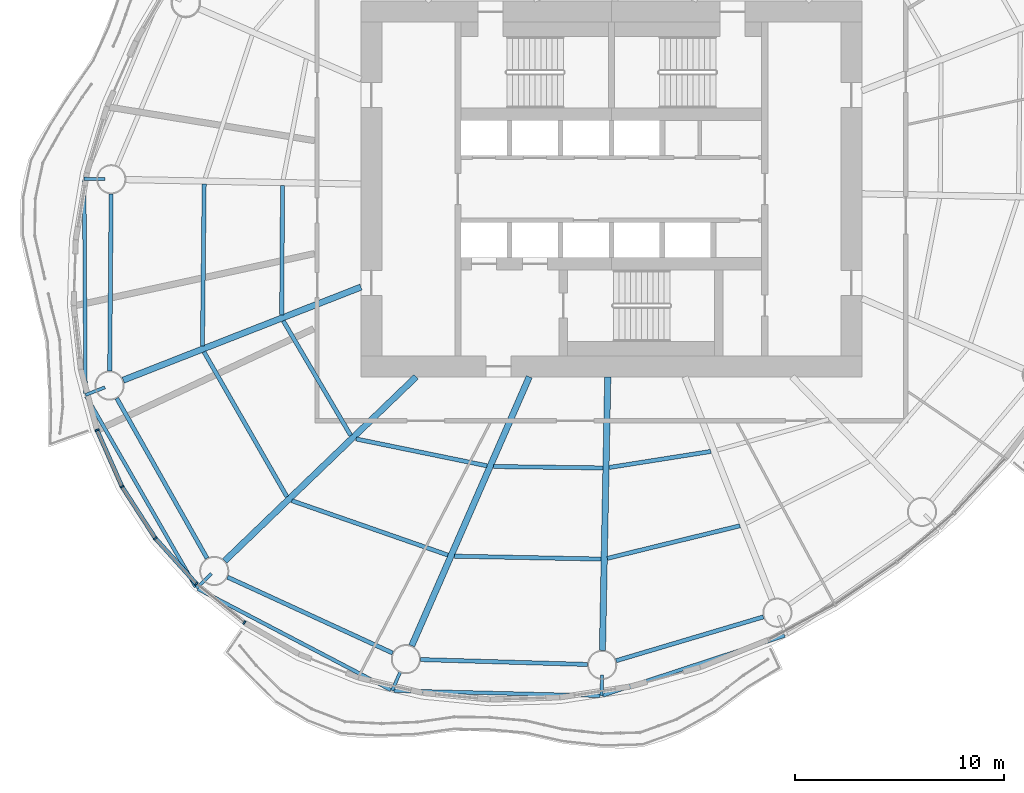
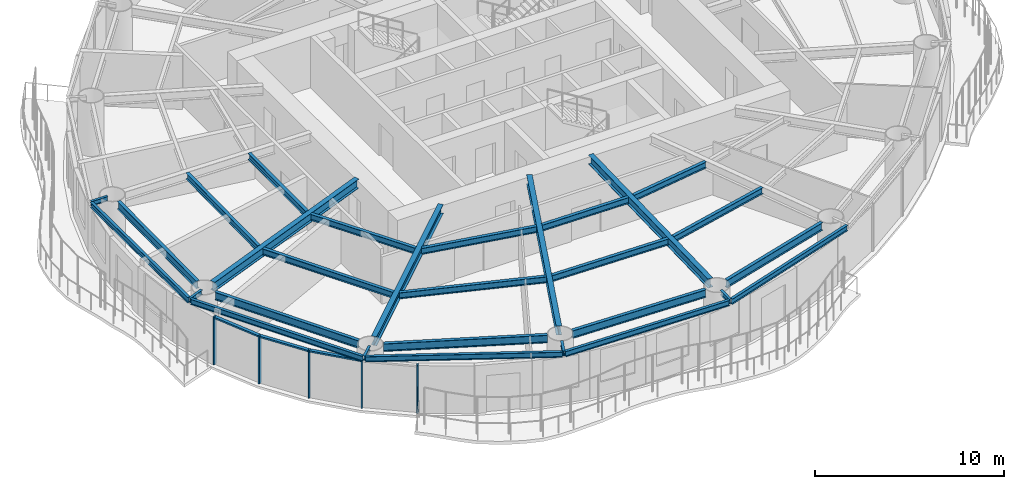
# One storey, part 2 of 15: 29 beams, 8 members, 4 elements without a shape of their own.
"""IFC4 building model written with IfcOpenShell, lengths in metres."""

import ifcopenshell
import ifcopenshell.guid

model = None  # the IFC model being written
_history = None  # IfcOwnerHistory: only IFC2X3 demands one
_inside = {}  # id of a spatial element -> (the spatial element, [elements in it])
_under = {}  # id of a project, library or spatial element -> (it, [spatial elements below it])
_declared = {}  # id of a project -> (the project, [libraries it declares])
_typed = {}  # id of a type object -> (the type object, [elements of that type])
_made_of = {}  # id of a material, layer set ... -> (it, [elements and type objects made of it])


def new_model(schema):
    """Start an empty IFC model of exactly this schema.

    Asked for "IFC4X3", IfcOpenShell would pick the latest addendum, in which some entities
    have other attributes; the version numbers below select the first issue.
    IFC2X3 requires an IfcOwnerHistory on every rooted entity: one is made here for all.
    """
    global model, _history
    if schema == "IFC4X3":
        model = ifcopenshell.file(schema_version=(4, 3, 0, 0))
    else:
        model = ifcopenshell.file(schema=schema)
    _inside.clear()
    _under.clear()
    _declared.clear()
    _typed.clear()
    _made_of.clear()
    _history = None
    if model.schema == "IFC2X3":
        org = make("IfcOrganization", Name="unknown")
        user = make(
            "IfcPersonAndOrganization",
            ThePerson=make("IfcPerson", FamilyName="unknown"),
            TheOrganization=org,
        )
        app = make(
            "IfcApplication",
            ApplicationDeveloper=org,
            Version="unknown",
            ApplicationFullName="unknown",
            ApplicationIdentifier="unknown",
        )
        _history = make(
            "IfcOwnerHistory",
            OwningUser=user,
            OwningApplication=app,
            ChangeAction="ADDED",
            CreationDate=0,
        )
    return model


def make(cls, **values):
    """One entity of the class cls with the attributes given. An attribute that is None is left unset."""
    return model.create_entity(
        cls, **{name: value for name, value in values.items() if value is not None}
    )


def rooted(cls, **values):
    """An entity with a GlobalId (a new one), such as an element, a storey or a relation."""
    return make(cls, GlobalId=ifcopenshell.guid.new(), OwnerHistory=_history, **values)


def si_unit(unit_type, name, prefix=None):
    """IfcSIUnit, for example si_unit("LENGTHUNIT", "METRE", prefix="MILLI")."""
    return make("IfcSIUnit", UnitType=unit_type, Prefix=prefix, Name=name)


def assignment(units):
    """IfcUnitAssignment: the units of a project."""
    return None if units is None else make("IfcUnitAssignment", Units=units)


def point(xyz):
    """IfcCartesianPoint."""
    return None if xyz is None else make("IfcCartesianPoint", Coordinates=xyz)


def direction(xyz):
    """IfcDirection."""
    return None if xyz is None else make("IfcDirection", DirectionRatios=xyz)


def frame(location, z_axis=None, x_axis=None):
    """IfcAxis2Placement3D, a coordinate frame: its origin and axes. An axis left out is left unset."""
    return make(
        "IfcAxis2Placement3D",
        Location=point(location),
        Axis=direction(z_axis),
        RefDirection=direction(x_axis),
    )


def frame_2d(location, x_axis=None):
    """IfcAxis2Placement2D, a coordinate frame in the plane: its origin and x axis."""
    return make(
        "IfcAxis2Placement2D", Location=point(location), RefDirection=direction(x_axis)
    )


def origin():
    """The frame at (0, 0, 0) with its axes left unset."""
    return frame((0.0, 0.0, 0.0))


def origin_2d():
    """The frame at (0, 0) in the plane with its x axis left unset."""
    return frame_2d((0.0, 0.0))


def place(relative_to, where):
    """IfcLocalPlacement: puts the frame where relative to a parent placement (None: the world)."""
    return make(
        "IfcLocalPlacement", PlacementRelTo=relative_to, RelativePlacement=where
    )


def context(
    kind, dimensions, precision=None, world=None, true_north=None, identifier=None
):
    """IfcGeometricRepresentationContext, for example the 3D "Model" context."""
    return make(
        "IfcGeometricRepresentationContext",
        ContextIdentifier=identifier,
        ContextType=kind,
        CoordinateSpaceDimension=dimensions,
        Precision=precision,
        WorldCoordinateSystem=world,
        TrueNorth=true_north,
    )


def subcontext(parent, identifier, kind, view, scale=None):
    """IfcGeometricRepresentationSubContext, for example "Body" below "Model"."""
    return make(
        "IfcGeometricRepresentationSubContext",
        ContextIdentifier=identifier,
        ContextType=kind,
        ParentContext=parent,
        TargetScale=scale,
        TargetView=view,
    )


def project(units=None, contexts=None):
    """IfcProject with its units and contexts."""
    return rooted(
        "IfcProject",
        Name="project",
        RepresentationContexts=contexts,
        UnitsInContext=assignment(units),
    )


def spatial(cls, under=None, at=None, **own):
    """A site, building, storey or space (cls), placed at a placement, below another one or the project."""
    s = rooted(cls, ObjectPlacement=at, **own)
    if under is not None:
        _under.setdefault(under.id(), (under, []))[1].append(s)
    return s


def profile(cls, at=None, kind="AREA", **sizes):
    """A parametric profile (cls). Its sizes go by their IFC names, for example OverallWidth=200.0."""
    return make(cls, ProfileType=kind, Position=at, **sizes)


def rectangle(**sizes):
    """IfcRectangleProfileDef."""
    return profile("IfcRectangleProfileDef", **sizes)


def i_section(**sizes):
    """IfcIShapeProfileDef."""
    return profile("IfcIShapeProfileDef", **sizes)


def extrude(swept, where, along, depth):
    """IfcExtrudedAreaSolid: the profile swept, set in the frame where, extruded along a direction by depth."""
    return make(
        "IfcExtrudedAreaSolid",
        SweptArea=swept,
        Position=where,
        ExtrudedDirection=direction(along),
        Depth=depth,
    )


def shape(context_of_items, identifier, shape_type, items):
    """IfcShapeRepresentation: the items that make up one representation, for example the "Body"."""
    return make(
        "IfcShapeRepresentation",
        ContextOfItems=context_of_items,
        RepresentationIdentifier=identifier,
        RepresentationType=shape_type,
        Items=items,
    )


def material(Name=None, Category=None):
    """IfcMaterial."""
    return make("IfcMaterial", Name=Name, Category=Category)


def material_profile(
    of_material, cross_section, Name=None, Category=None, Priority=None
):
    """IfcMaterialProfile: a cross section and its material."""
    return make(
        "IfcMaterialProfile",
        Name=Name,
        Material=of_material,
        Profile=cross_section,
        Priority=Priority,
        Category=Category,
    )


def profile_set(profiles, Name=None, composite=None):
    """IfcMaterialProfileSet."""
    return make(
        "IfcMaterialProfileSet",
        Name=Name,
        MaterialProfiles=profiles,
        CompositeProfile=composite,
    )


def made_of(thing, what):
    """Note that an element or type object is made of a material, layer set ...; save() writes the relation."""
    if what is not None:
        _made_of.setdefault(what.id(), (what, []))[1].append(thing)
    return thing


def type_object(cls, material=None, **own):
    """A type object (cls), such as IfcWallType, which elements share."""
    return made_of(rooted(cls, **own), material)


def element(
    cls,
    number,
    at=None,
    inside=None,
    cuts=None,
    type_object=None,
    material=None,
    context=None,
    identifier="Body",
    shape_type=None,
    held_by="IfcProductDefinitionShape",
    body=None,
    shapes=None,
    **own,
):
    """One element of the class cls, such as IfcWall. Its Tag is "e" and its number.

    at: its placement. inside: the storey or other place that contains it. cuts: it is an
    opening in that element (IfcRelVoidsElement). A single representation is given by context,
    identifier, shape_type and body (its items); several are given by shapes. held_by: the class
    of the entity that holds the representations. save() writes the other relations.
    """
    e = rooted(cls, Tag="e%d" % number, ObjectPlacement=at, **own)
    if body is not None:
        shapes = [shape(context, identifier, shape_type, body)]
    if shapes is not None:
        e.Representation = make(held_by, Representations=shapes)
    if inside is not None:
        _inside.setdefault(inside.id(), (inside, []))[1].append(e)
    if cuts is not None:
        rooted(
            "IfcRelVoidsElement", RelatingBuildingElement=cuts, RelatedOpeningElement=e
        )
    if type_object is not None:
        _typed.setdefault(type_object.id(), (type_object, []))[1].append(e)
    return made_of(e, material)


def aggregate(whole, parts):
    """IfcRelAggregates: a whole, such as a stair, and the parts it consists of."""
    return rooted("IfcRelAggregates", RelatingObject=whole, RelatedObjects=parts)


def save(model, path):
    """Write the relations noted so far, then the file.

    IfcRelAggregates (storeys below a building ...), IfcRelContainedInSpatialStructure (elements
    in a storey), IfcRelDefinesByType, IfcRelAssociatesMaterial and IfcRelDeclares: one each for
    every whole, place, type object, material and project.
    """
    for whole, parts in _under.values():
        aggregate(whole, parts)
    for where, things in _inside.values():
        rooted(
            "IfcRelContainedInSpatialStructure",
            RelatedElements=things,
            RelatingStructure=where,
        )
    for kind, things in _typed.values():
        rooted("IfcRelDefinesByType", RelatedObjects=things, RelatingType=kind)
    for what, things in _made_of.values():
        rooted("IfcRelAssociatesMaterial", RelatedObjects=things, RelatingMaterial=what)
    for by, libraries in _declared.values():
        rooted("IfcRelDeclares", RelatingContext=by, RelatedDefinitions=libraries)
    model.write(path)


model = new_model("IFC4")

# Units and contexts
model_context = context("Model", 3, precision=1e-05, world=origin(), true_north=direction((0.0, 1.0)))
body_context = subcontext(model_context, "Body", "Model", "MODEL_VIEW")
ifc_project = project(units=[si_unit("LENGTHUNIT", "METRE"), si_unit("AREAUNIT", "SQUARE_METRE"), si_unit("VOLUMEUNIT", "CUBIC_METRE"), si_unit("PLANEANGLEUNIT", "RADIAN"), si_unit("MASSUNIT", "GRAM", prefix="KILO")], contexts=[model_context])

# Site, building, storey
site_placement = place(None, origin())
site = spatial("IfcSite", under=ifc_project, at=site_placement, CompositionType="ELEMENT")
building_placement = place(site_placement, origin())
building = spatial("IfcBuilding", under=site, at=building_placement, Name="Vermilion Reach Broadcast Tower", CompositionType="ELEMENT")
storey_placement = place(building_placement, frame((0.0, 0.0, 183.0)))
storey = spatial("IfcBuildingStorey", under=building, at=storey_placement, Name="L44", CompositionType="ELEMENT", Elevation=183.0)

# Beams
ifc_material_1 = material(Name="Steel S355J2", Category="steel")
ifc_material_profile_1 = material_profile(ifc_material_1, i_section(OverallWidth=0.175048828125, OverallDepth=0.35009765625, WebThickness=0.007080078125, FlangeThickness=0.010986328125, at=origin_2d()), Name="S355J2 HN 350x175x7x11")
ifc_profile_set_1 = profile_set([ifc_material_profile_1], Name="Steel S355J2")
beam_type_1 = type_object("IfcBeamType", Name="EB3 HN 350x175x7x11", PredefinedType="BEAM", material=ifc_profile_set_1)
beam_1_placement = place(storey_placement, frame((-31.255126953125, 0.414306640625, 3.27490234375), z_axis=(0.005982471672, -0.999982104856, 0.0), x_axis=(0.999982104856, 0.005982471672, 0.0)))
element("IfcBeam", 1, at=beam_1_placement, inside=storey, type_object=beam_type_1, Name="Edge beam EB3-07", PredefinedType="BEAM", context=body_context, shape_type="SweptSolid", body=[
    extrude(i_section(OverallWidth=0.175048828125, OverallDepth=0.35009765625, WebThickness=0.007080078125, FlangeThickness=0.010986328125, at=origin_2d()), origin(), (0.0, 0.0, 1.0), 10.202392578125),
])
beam_2_placement = place(storey_placement, frame((-31.156005859375, -9.93408203125, 3.27490234375), z_axis=(0.49809475743, -0.867122605299, 0.0), x_axis=(0.867122605299, 0.49809475743, 0.0)))
element("IfcBeam", 2, at=beam_2_placement, inside=storey, type_object=beam_type_1, Name="Edge beam EB3-08", PredefinedType="BEAM", context=body_context, shape_type="SweptSolid", body=[
    extrude(i_section(OverallWidth=0.175048828125, OverallDepth=0.35009765625, WebThickness=0.007080078125, FlangeThickness=0.010986328125, at=origin_2d()), origin(), (0.0, 0.0, 1.0), 10.51904296875),
])
beam_3_placement = place(storey_placement, frame((-25.807861328125, -19.158935546875, 3.27490234375), z_axis=(0.885887897056, -0.463899379014, 0.0), x_axis=(0.463899379014, 0.885887897056, 0.0)))
element("IfcBeam", 3, at=beam_3_placement, inside=storey, type_object=beam_type_1, Name="Edge beam EB3-09", PredefinedType="BEAM", context=body_context, shape_type="SweptSolid", body=[
    extrude(i_section(OverallWidth=0.175048828125, OverallDepth=0.35009765625, WebThickness=0.007080078125, FlangeThickness=0.010986328125, at=origin_2d()), origin(), (0.0, 0.0, 1.0), 10.42724609375),
])
beam_4_placement = place(storey_placement, frame((-16.4228515625, -24.032958984375, 3.27490234375), z_axis=(0.99969711169, -0.024610665956, 0.0), x_axis=(0.024610665956, 0.99969711169, 0.0)))
element("IfcBeam", 4, at=beam_4_placement, inside=storey, type_object=beam_type_1, Name="Edge beam EB3-10", PredefinedType="BEAM", context=body_context, shape_type="SweptSolid", body=[
    extrude(i_section(OverallWidth=0.175048828125, OverallDepth=0.35009765625, WebThickness=0.007080078125, FlangeThickness=0.010986328125, at=origin_2d()), origin(), (0.0, 0.0, 1.0), 9.88037109375),
])
beam_5_placement = place(storey_placement, frame((-6.39501953125, -24.253173828125, 3.27490234375), z_axis=(0.950176969357, 0.311710966928, 0.0), x_axis=(-0.311710966928, 0.950176969357, 0.0)))
element("IfcBeam", 5, at=beam_5_placement, inside=storey, type_object=beam_type_1, Name="Edge beam EB3-11", PredefinedType="BEAM", context=body_context, shape_type="SweptSolid", body=[
    extrude(i_section(OverallWidth=0.175048828125, OverallDepth=0.35009765625, WebThickness=0.007080078125, FlangeThickness=0.010986328125, at=origin_2d()), origin(), (0.0, 0.0, 1.0), 9.15283203125),
])
ifc_material_2 = material(Name="Steel S355J2", Category="steel")
ifc_material_profile_2 = material_profile(ifc_material_2, i_section(OverallWidth=0.300048828125, OverallDepth=0.587890625, WebThickness=0.011962890625, FlangeThickness=0.02001953125, at=origin_2d()), Name="S355J2 HM 588x300x12x20")
ifc_profile_set_2 = profile_set([ifc_material_profile_2], Name="Steel S355J2")
beam_type_2 = type_object("IfcBeamType", Name="G3 HM 588x300x12x20", PredefinedType="BEAM", material=ifc_profile_set_2)
beam_6_placement = place(storey_placement, frame((-18.0, -4.700439453125, 3.156005859375), z_axis=(-0.931124635714, -0.364701128004, 0.0), x_axis=(0.364701128004, -0.931124635714, 0.0)))
element("IfcBeam", 6, at=beam_6_placement, inside=storey, type_object=beam_type_2, Name="Girder G3-08", PredefinedType="BEAM", context=body_context, shape_type="SweptSolid", body=[
    extrude(i_section(OverallWidth=0.300048828125, OverallDepth=0.587890625, WebThickness=0.011962890625, FlangeThickness=0.02001953125, at=origin_2d()), origin(), (0.0, 0.0, 1.0), 12.231201171875),
])
beam_7_placement = place(storey_placement, frame((-15.355712890625, -9.0, 3.156005859375), z_axis=(-0.720670374476, -0.693277874559, 0.0), x_axis=(0.693277874559, -0.720670374476, 0.0)))
element("IfcBeam", 7, at=beam_7_placement, inside=storey, type_object=beam_type_2, Name="Girder G3-09", PredefinedType="BEAM", context=body_context, shape_type="SweptSolid", body=[
    extrude(i_section(OverallWidth=0.300048828125, OverallDepth=0.587890625, WebThickness=0.011962890625, FlangeThickness=0.02001953125, at=origin_2d()), origin(), (0.0, 0.0, 1.0), 12.718505859375),
])
beam_8_placement = place(storey_placement, frame((-9.933837890625, -9.0, 3.156005859375), z_axis=(-0.400519113205, -0.916288404356, 0.0), x_axis=(0.916288404356, -0.400519113205, 0.0)))
element("IfcBeam", 8, at=beam_8_placement, inside=storey, type_object=beam_type_2, Name="Girder G3-10", PredefinedType="BEAM", context=body_context, shape_type="SweptSolid", body=[
    extrude(i_section(OverallWidth=0.300048828125, OverallDepth=0.587890625, WebThickness=0.011962890625, FlangeThickness=0.02001953125, at=origin_2d()), origin(), (0.0, 0.0, 1.0), 14.0595703125),
])
beam_9_placement = place(storey_placement, frame((-6.17431640625, -9.0, 3.156005859375), z_axis=(-0.019378372481, -0.99981222171, 0.0), x_axis=(0.99981222171, -0.019378372481, 0.0)))
element("IfcBeam", 9, at=beam_9_placement, inside=storey, type_object=beam_type_2, Name="Girder G3-11", PredefinedType="BEAM", context=body_context, shape_type="SweptSolid", body=[
    extrude(i_section(OverallWidth=0.300048828125, OverallDepth=0.587890625, WebThickness=0.011962890625, FlangeThickness=0.02001953125, at=origin_2d()), origin(), (0.0, 0.0, 1.0), 13.1025390625),
])
ifc_material_3 = material(Name="Steel S355J2", Category="steel")
ifc_material_profile_3 = material_profile(ifc_material_3, i_section(OverallWidth=0.14990234375, OverallDepth=0.300048828125, WebThickness=0.006591796875, FlangeThickness=0.009033203125, at=origin_2d()), Name="S355J2 HN 300x150x6.5x9")
ifc_profile_set_3 = profile_set([ifc_material_profile_3], Name="Steel S355J2")
beam_type_3 = type_object("IfcBeamType", Name="GS3 HN 300x150x6.5x9", PredefinedType="BEAM", material=ifc_profile_set_3)
for number, where, z_axis, x_axis, name in (
    (10, (-30.255859375, 0.469970703125, 3.300048828125), (-0.999813964781, 0.019288230334, 0.0), (-0.019288230334, -0.999813964781, 0.0), "Cantilever stub GS3-07"),
    (11, (-30.262451171875, -9.50341796875, 3.300048828125), (-0.931113051526, -0.364730702407, 0.0), (0.364730702407, -0.931113051526, 0.0), "Cantilever stub GS3-08"),
):
    element("IfcBeam", number, at=place(storey_placement, frame(where, z_axis=z_axis, x_axis=x_axis)), inside=storey, type_object=beam_type_3, Name=name, PredefinedType="BEAM", context=body_context, shape_type="SweptSolid", body=[
        extrude(i_section(OverallWidth=0.14990234375, OverallDepth=0.300048828125, WebThickness=0.006591796875, FlangeThickness=0.009033203125, at=origin_2d()), origin(), (0.0, 0.0, 1.0), 1.0),
    ])
beam_10_placement = place(storey_placement, frame((-25.157470703125, -18.42919921875, 3.300048828125), z_axis=(-0.72065002653, -0.693299025862, 0.0), x_axis=(0.693299025862, -0.72065002653, 0.0)))
element("IfcBeam", 12, at=beam_10_placement, inside=storey, type_object=beam_type_3, Name="Cantilever stub GS3-09", PredefinedType="BEAM", context=body_context, shape_type="SweptSolid", body=[
    extrude(i_section(OverallWidth=0.14990234375, OverallDepth=0.300048828125, WebThickness=0.006591796875, FlangeThickness=0.009033203125, at=origin_2d()), origin(), (0.0, 0.0, 1.0), 0.999755859375),
])
for number, where, z_axis, x_axis, name in (
    (13, (-16.103271484375, -23.11474609375, 3.300048828125), (-0.400626718411, -0.916241361485, 0.0), (0.916241361485, -0.400626718411, 0.0), "Cantilever stub GS3-10"),
    (14, (-6.450927734375, -23.2783203125, 3.300048828125), (-0.019532292583, -0.999809226576, 0.0), (0.999809226576, -0.019532292583, 0.0), "Cantilever stub GS3-11"),
):
    element("IfcBeam", number, at=place(storey_placement, frame(where, z_axis=z_axis, x_axis=x_axis)), inside=storey, type_object=beam_type_3, Name=name, PredefinedType="BEAM", context=body_context, shape_type="SweptSolid", body=[
        extrude(i_section(OverallWidth=0.14990234375, OverallDepth=0.300048828125, WebThickness=0.006591796875, FlangeThickness=0.009033203125, at=origin_2d()), origin(), (0.0, 0.0, 1.0), 1.0),
    ])
ifc_material_4 = material(Name="Steel S355J2", Category="steel")
ifc_material_profile_4 = material_profile(ifc_material_4, i_section(OverallWidth=0.199951171875, OverallDepth=0.5, WebThickness=0.010009765625, FlangeThickness=0.01611328125, at=origin_2d()), Name="S355J2 HN 500x200x10x16")
ifc_profile_set_4 = profile_set([ifc_material_profile_4], Name="Steel S355J2")
beam_type_4 = type_object("IfcBeamType", Name="RB3 HN 500x200x10x16", PredefinedType="BEAM", material=ifc_profile_set_4)
beam_11_placement = place(storey_placement, frame((-29.965087890625, -0.23583984375, 3.199951171875), z_axis=(-0.008204232036, -0.999966344722, 0.0), x_axis=(0.999966344722, -0.008204232036, 0.0)))
element("IfcBeam", 15, at=beam_11_placement, inside=storey, type_object=beam_type_4, Name="Ring beam RB3-07", PredefinedType="BEAM", context=body_context, shape_type="SweptSolid", body=[
    extrude(i_section(OverallWidth=0.199951171875, OverallDepth=0.5, WebThickness=0.010009765625, FlangeThickness=0.01611328125, at=origin_2d()), origin(), (0.0, 0.0, 1.0), 8.48095703125),
])
beam_12_placement = place(storey_placement, frame((-29.696533203125, -10.026123046875, 3.199951171875), z_axis=(0.491466825026, -0.870896296869, 0.0), x_axis=(0.870896296869, 0.491466825026, 0.0)))
element("IfcBeam", 16, at=beam_12_placement, inside=storey, type_object=beam_type_4, Name="Ring beam RB3-08", PredefinedType="BEAM", context=body_context, shape_type="SweptSolid", body=[
    extrude(i_section(OverallWidth=0.199951171875, OverallDepth=0.5, WebThickness=0.010009765625, FlangeThickness=0.01611328125, at=origin_2d()), origin(), (0.0, 0.0, 1.0), 8.803466796875),
])
beam_13_placement = place(storey_placement, frame((-24.389892578125, -18.594970703125, 3.199951171875), z_axis=(0.908546241769, -0.417784306272, 0.0), x_axis=(0.417784306272, 0.908546241769, 0.0)))
element("IfcBeam", 17, at=beam_13_placement, inside=storey, type_object=beam_type_4, Name="Ring beam RB3-09", PredefinedType="BEAM", context=body_context, shape_type="SweptSolid", body=[
    extrude(i_section(OverallWidth=0.199951171875, OverallDepth=0.5, WebThickness=0.010009765625, FlangeThickness=0.01611328125, at=origin_2d()), origin(), (0.0, 0.0, 1.0), 8.704833984375),
])
beam_14_placement = place(storey_placement, frame((-15.1455078125, -22.544677734375, 3.199951171875), z_axis=(0.999569781146, -0.029330063427, 0.0), x_axis=(0.029330063427, 0.999569781146, 0.0)))
element("IfcBeam", 18, at=beam_14_placement, inside=storey, type_object=beam_type_4, Name="Ring beam RB3-10", PredefinedType="BEAM", context=body_context, shape_type="SweptSolid", body=[
    extrude(i_section(OverallWidth=0.199951171875, OverallDepth=0.5, WebThickness=0.010009765625, FlangeThickness=0.01611328125, at=origin_2d()), origin(), (0.0, 0.0, 1.0), 8.007568359375),
])
beam_15_placement = place(storey_placement, frame((-5.770751953125, -22.60009765625, 3.199951171875), z_axis=(0.958416970322, 0.285371531516, 0.0), x_axis=(-0.285371531516, 0.958416970322, 0.0)))
element("IfcBeam", 19, at=beam_15_placement, inside=storey, type_object=beam_type_4, Name="Ring beam RB3-11", PredefinedType="BEAM", context=body_context, shape_type="SweptSolid", body=[
    extrude(i_section(OverallWidth=0.199951171875, OverallDepth=0.5, WebThickness=0.010009765625, FlangeThickness=0.01611328125, at=origin_2d()), origin(), (0.0, 0.0, 1.0), 7.357421875),
])
ifc_material_5 = material(Name="Steel S355J2", Category="steel")
ifc_material_profile_5 = material_profile(ifc_material_5, i_section(OverallWidth=0.199951171875, OverallDepth=0.39990234375, WebThickness=0.008056640625, FlangeThickness=0.012939453125, at=origin_2d()), Name="S355J2 HN 400x200x8x13")
ifc_profile_set_5 = profile_set([ifc_material_profile_5], Name="Steel S355J2")
beam_type_5 = type_object("IfcBeamType", Name="SB3 HN 400x200x8x13", PredefinedType="BEAM", material=ifc_profile_set_5)
beam_16_placement = place(storey_placement, frame((-21.754150390625, 0.1552734375, 3.25), z_axis=(-0.006635449147, -0.999977985165, 0.0), x_axis=(0.999977985165, -0.006635449147, 0.0)))
element("IfcBeam", 20, at=beam_16_placement, inside=storey, type_object=beam_type_5, Name="Secondary beam SB3-07-1", PredefinedType="BEAM", context=body_context, shape_type="SweptSolid", body=[
    extrude(i_section(OverallWidth=0.199951171875, OverallDepth=0.39990234375, WebThickness=0.008056640625, FlangeThickness=0.012939453125, at=origin_2d()), origin(), (0.0, 0.0, 1.0), 6.181396484375),
])
beam_17_placement = place(storey_placement, frame((-25.508056640625, 0.22802734375, 3.25), z_axis=(-0.010691708672, -0.999942842049, 0.0), x_axis=(0.999942842049, -0.010691708672, 0.0)))
element("IfcBeam", 21, at=beam_17_placement, inside=storey, type_object=beam_type_5, Name="Secondary beam SB3-07-2", PredefinedType="BEAM", context=body_context, shape_type="SweptSolid", body=[
    extrude(i_section(OverallWidth=0.199951171875, OverallDepth=0.39990234375, WebThickness=0.008056640625, FlangeThickness=0.012939453125, at=origin_2d()), origin(), (0.0, 0.0, 1.0), 7.740966796875),
])
beam_18_placement = place(storey_placement, frame((-21.71923828125, -6.318115234375, 3.25), z_axis=(0.507249643612, -0.861799163991, 0.0), x_axis=(0.861799163991, 0.507249643612, 0.0)))
element("IfcBeam", 22, at=beam_18_placement, inside=storey, type_object=beam_type_5, Name="Secondary beam SB3-08-1", PredefinedType="BEAM", context=body_context, shape_type="SweptSolid", body=[
    extrude(i_section(OverallWidth=0.199951171875, OverallDepth=0.39990234375, WebThickness=0.008056640625, FlangeThickness=0.012939453125, at=origin_2d()), origin(), (0.0, 0.0, 1.0), 6.3681640625),
])
beam_19_placement = place(storey_placement, frame((-25.51708984375, -7.805908203125, 3.25), z_axis=(0.497026503115, -0.867735360119, 0.0), x_axis=(0.867735360119, 0.497026503115, 0.0)))
element("IfcBeam", 23, at=beam_19_placement, inside=storey, type_object=beam_type_5, Name="Secondary beam SB3-08-2", PredefinedType="BEAM", context=body_context, shape_type="SweptSolid", body=[
    extrude(i_section(OverallWidth=0.199951171875, OverallDepth=0.39990234375, WebThickness=0.008056640625, FlangeThickness=0.012939453125, at=origin_2d()), origin(), (0.0, 0.0, 1.0), 7.995849609375),
])
beam_20_placement = place(storey_placement, frame((-18.232666015625, -11.975830078125, 3.25), z_axis=(0.97956765607, -0.201114910391, 0.0), x_axis=(0.201114910391, 0.97956765607, 0.0)))
element("IfcBeam", 24, at=beam_20_placement, inside=storey, type_object=beam_type_5, Name="Secondary beam SB3-09-1", PredefinedType="BEAM", context=body_context, shape_type="SweptSolid", body=[
    extrude(i_section(OverallWidth=0.199951171875, OverallDepth=0.39990234375, WebThickness=0.008056640625, FlangeThickness=0.012939453125, at=origin_2d()), origin(), (0.0, 0.0, 1.0), 6.40234375),
])
beam_21_placement = place(storey_placement, frame((-21.307373046875, -14.93359375, 3.25), z_axis=(0.94431696779, -0.329037177754, 0.0), x_axis=(0.329037177754, 0.94431696779, 0.0)))
element("IfcBeam", 25, at=beam_21_placement, inside=storey, type_object=beam_type_5, Name="Secondary beam SB3-09-2", PredefinedType="BEAM", context=body_context, shape_type="SweptSolid", body=[
    extrude(i_section(OverallWidth=0.199951171875, OverallDepth=0.39990234375, WebThickness=0.008056640625, FlangeThickness=0.012939453125, at=origin_2d()), origin(), (0.0, 0.0, 1.0), 7.91845703125),
])
beam_22_placement = place(storey_placement, frame((-11.648193359375, -13.29638671875, 3.25), z_axis=(0.999914891843, -0.013046419838, 0.0), x_axis=(0.013046419838, 0.999914891843, 0.0)))
element("IfcBeam", 26, at=beam_22_placement, inside=storey, type_object=beam_type_5, Name="Secondary beam SB3-10-1", PredefinedType="BEAM", context=body_context, shape_type="SweptSolid", body=[
    extrude(i_section(OverallWidth=0.199951171875, OverallDepth=0.39990234375, WebThickness=0.008056640625, FlangeThickness=0.012939453125, at=origin_2d()), origin(), (0.0, 0.0, 1.0), 5.23974609375),
])
beam_23_placement = place(storey_placement, frame((-13.525634765625, -17.591552734375, 3.25), z_axis=(0.999804929321, -0.019751033045, 0.0), x_axis=(0.019751033045, 0.999804929321, 0.0)))
element("IfcBeam", 27, at=beam_23_placement, inside=storey, type_object=beam_type_5, Name="Secondary beam SB3-10-2", PredefinedType="BEAM", context=body_context, shape_type="SweptSolid", body=[
    extrude(i_section(OverallWidth=0.199951171875, OverallDepth=0.39990234375, WebThickness=0.008056640625, FlangeThickness=0.012939453125, at=origin_2d()), origin(), (0.0, 0.0, 1.0), 7.033447265625),
])
beam_24_placement = place(storey_placement, frame((-6.1083984375, -13.343017578125, 3.25), z_axis=(0.987756142208, 0.15600578044, 0.0), x_axis=(-0.15600578044, 0.987756142208, 0.0)))
element("IfcBeam", 28, at=beam_24_placement, inside=storey, type_object=beam_type_5, Name="Secondary beam SB3-11-1", PredefinedType="BEAM", context=body_context, shape_type="SweptSolid", body=[
    extrude(i_section(OverallWidth=0.199951171875, OverallDepth=0.39990234375, WebThickness=0.008056640625, FlangeThickness=0.012939453125, at=origin_2d()), origin(), (0.0, 0.0, 1.0), 4.9326171875),
])
beam_25_placement = place(storey_placement, frame((-6.19287109375, -17.6962890625, 3.25), z_axis=(0.971111691931, 0.238625400566, 0.0), x_axis=(-0.238625400566, 0.971111691931, 0.0)))
element("IfcBeam", 29, at=beam_25_placement, inside=storey, type_object=beam_type_5, Name="Secondary beam SB3-11-2", PredefinedType="BEAM", context=body_context, shape_type="SweptSolid", body=[
    extrude(i_section(OverallWidth=0.199951171875, OverallDepth=0.39990234375, WebThickness=0.008056640625, FlangeThickness=0.012939453125, at=origin_2d()), origin(), (0.0, 0.0, 1.0), 6.540771484375),
])

# Curtain wall, member
ifc_material_6 = material(Name="Low-e laminated clear glass in aluminium frame", Category="aluminium")
curtain_wall_type = type_object("IfcCurtainWallType", Name="Slot curtain wall", PredefinedType="NOTDEFINED", material=ifc_material_6)
placement = place(storey_placement, origin())
curtain_wall_1 = element("IfcCurtainWall", 30, at=placement, inside=storey, type_object=curtain_wall_type, Name="Slot curtain wall L44 22", PredefinedType="NOTDEFINED")
ifc_material_7 = material(Name="Anodised aluminium", Category="aluminium")
ifc_material_profile_6 = material_profile(ifc_material_7, rectangle(XDim=0.199951171875, YDim=0.080078125, at=origin_2d()), Name="Slot mullion 80 x 200")
ifc_profile_set_6 = profile_set([ifc_material_profile_6], Name="Anodised aluminium")
member_type_1 = type_object("IfcMemberType", Name="Slot mullion 80 x 200", PredefinedType="MULLION", material=ifc_profile_set_6)
member_1_placement = place(storey_placement, frame((-30.64013671875, -11.55224609375, 0.0), z_axis=(0.0, 0.0, 1.0), x_axis=(0.943416412163, 0.331610423933, 0.0)))
member_1 = element("IfcMember", 31, at=member_1_placement, type_object=member_type_1, Name="Slot mullion L44 22", PredefinedType="MULLION", context=body_context, shape_type="SweptSolid", body=[
    extrude(rectangle(XDim=0.199951171875, YDim=0.080078125, at=origin_2d()), origin(), (0.0, 0.0, 1.0), 3.10009765625),
])

curtain_wall_2 = element("IfcCurtainWall", 32, at=placement, inside=storey, type_object=curtain_wall_type, Name="Slot curtain wall L44 23", PredefinedType="NOTDEFINED")
member_2_placement = place(storey_placement, frame((-29.44482421875, -14.26318359375, 0.0), z_axis=(0.0, 0.0, 1.0), x_axis=(0.88021980734, 0.474566213258, 0.0)))
member_2 = element("IfcMember", 33, at=member_2_placement, type_object=member_type_1, Name="Slot mullion L44 23", PredefinedType="MULLION", context=body_context, shape_type="SweptSolid", body=[
    extrude(rectangle(XDim=0.199951171875, YDim=0.080078125, at=origin_2d()), origin(), (0.0, 0.0, 1.0), 3.10009765625),
])

curtain_wall_3 = element("IfcCurtainWall", 34, at=placement, inside=storey, type_object=curtain_wall_type, Name="Slot curtain wall L44 24", PredefinedType="NOTDEFINED")
member_3_placement = place(storey_placement, frame((-27.8505859375, -16.730224609375, 0.0), z_axis=(0.0, 0.0, 1.0), x_axis=(0.793990435084, 0.607930250107, 0.0)))
member_3 = element("IfcMember", 35, at=member_3_placement, type_object=member_type_1, Name="Slot mullion L44 24", PredefinedType="MULLION", context=body_context, shape_type="SweptSolid", body=[
    extrude(rectangle(XDim=0.199951171875, YDim=0.080078125, at=origin_2d()), origin(), (0.0, 0.0, 1.0), 3.10009765625),
])

# Curtain wall, members
curtain_wall_4 = element("IfcCurtainWall", 36, at=placement, inside=storey, type_object=curtain_wall_type, Name="Slot curtain wall L44 25", PredefinedType="NOTDEFINED")
member_4_placement = place(storey_placement, frame((-25.884765625, -18.91259765625, 0.0), z_axis=(0.0, 0.0, 1.0), x_axis=(0.687735389299, 0.72596145511, 0.0)))
member_4 = element("IfcMember", 37, at=member_4_placement, type_object=member_type_1, Name="Slot mullion L44 25", PredefinedType="MULLION", context=body_context, shape_type="SweptSolid", body=[
    extrude(rectangle(XDim=0.199951171875, YDim=0.080078125, at=origin_2d()), origin(), (0.0, 0.0, 1.0), 3.10009765625),
])
member_5_placement = place(storey_placement, frame((-23.57958984375, -20.773681640625, 0.0), z_axis=(0.0, 0.0, 1.0), x_axis=(0.566212775079, 0.824259117837, 0.0)))
member_5 = element("IfcMember", 38, at=member_5_placement, type_object=member_type_1, Name="Slot mullion L44 26", PredefinedType="MULLION", context=body_context, shape_type="SweptSolid", body=[
    extrude(rectangle(XDim=0.199951171875, YDim=0.080078125, at=origin_2d()), origin(), (0.0, 0.0, 1.0), 3.10009765625),
])
aggregate(curtain_wall_4, [member_4, member_5])

# Member
ifc_material_8 = material(Name="Anodised aluminium", Category="aluminium")
ifc_material_profile_7 = material_profile(ifc_material_8, rectangle(XDim=0.199951171875, YDim=0.10009765625, at=origin_2d()), Name="Slot transom 200 x 100")
ifc_profile_set_7 = profile_set([ifc_material_profile_7], Name="Anodised aluminium")
member_type_2 = type_object("IfcMemberType", Name="Slot transom 200 x 100", PredefinedType="USERDEFINED", material=ifc_profile_set_7)
member_6_placement = place(storey_placement, frame((-30.6240234375, -11.5888671875, 3.050048828125), z_axis=(0.403465053796, -0.914995054831, 0.0), x_axis=(0.914995054831, 0.403465053796, 0.0)))
member_6 = element("IfcMember", 39, at=member_6_placement, type_object=member_type_2, Name="Slot transom L44 22.1", ObjectType="TRANSOM", PredefinedType="USERDEFINED", context=body_context, shape_type="SweptSolid", body=[
    extrude(rectangle(XDim=0.199951171875, YDim=0.10009765625, at=origin_2d()), origin(), (0.0, 0.0, 1.0), 2.8828125),
])

aggregate(curtain_wall_1, [member_1, member_6])

member_7_placement = place(storey_placement, frame((-29.423095703125, -14.296630859375, 3.050048828125), z_axis=(0.542694985784, -0.839929849692, 0.0), x_axis=(0.839929849692, 0.542694985784, 0.0)))
member_7 = element("IfcMember", 40, at=member_7_placement, type_object=member_type_2, Name="Slot transom L44 23.1", ObjectType="TRANSOM", PredefinedType="USERDEFINED", context=body_context, shape_type="SweptSolid", body=[
    extrude(rectangle(XDim=0.199951171875, YDim=0.10009765625, at=origin_2d()), origin(), (0.0, 0.0, 1.0), 2.857666015625),
])

aggregate(curtain_wall_2, [member_2, member_7])

member_8_placement = place(storey_placement, frame((-27.823974609375, -16.760009765625, 3.050048828125), z_axis=(0.66932340003, -0.742971187983, 0.0), x_axis=(0.742971187983, 0.66932340003, 0.0)))
member_8 = element("IfcMember", 41, at=member_8_placement, type_object=member_type_2, Name="Slot transom L44 24.1", ObjectType="TRANSOM", PredefinedType="USERDEFINED", context=body_context, shape_type="SweptSolid", body=[
    extrude(rectangle(XDim=0.199951171875, YDim=0.10009765625, at=origin_2d()), origin(), (0.0, 0.0, 1.0), 2.857421875),
])

aggregate(curtain_wall_3, [member_3, member_8])

save(model, "model.ifc")
